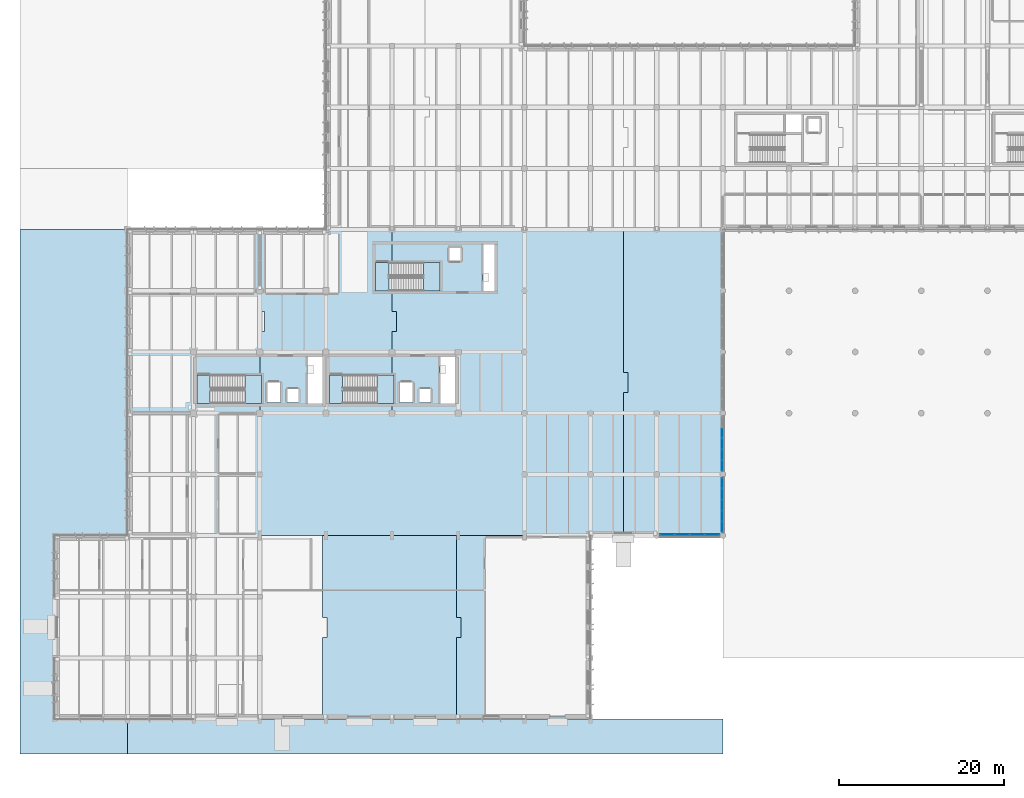
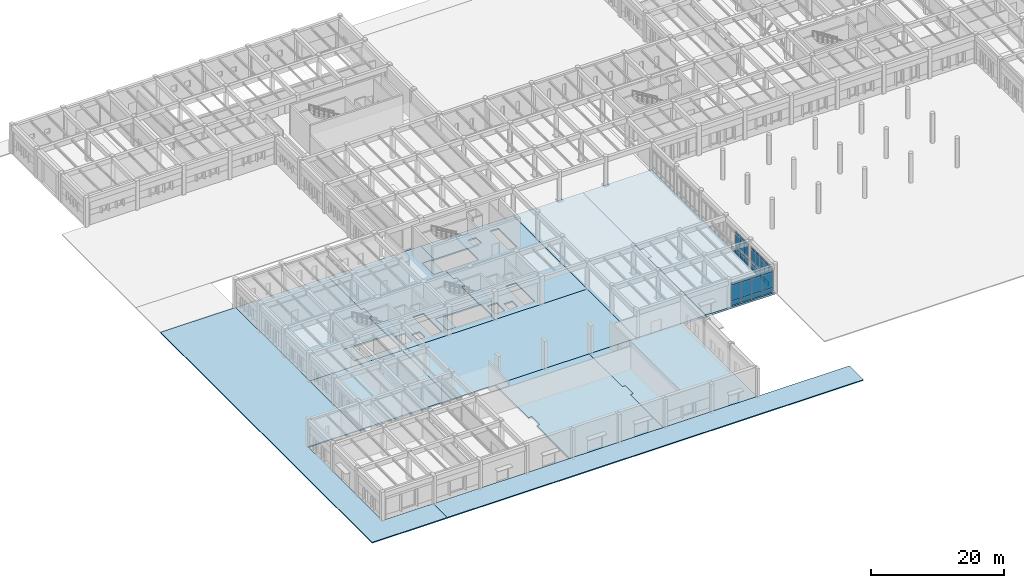
# One storey, part 11 of 56: 37 plates, 17 slabs, 6 elements without a shape of their own.
"""IFC4 building model written with IfcOpenShell, lengths in metres."""

from ifc_helpers import new_model, si_unit, direction, frame, origin, origin_2d, place, context, subcontext, project, spatial, polyline, rectangle, outline, extrude, material, layer, layer_set, type_object, element, aggregate, save


model = new_model("IFC4")

# Units and contexts
model_context = context("Model", 3, precision=1e-05, world=origin(), true_north=direction((0.0, 1.0)))
body_context = subcontext(model_context, "Body", "Model", "MODEL_VIEW")
ifc_project = project(units=[si_unit("LENGTHUNIT", "METRE"), si_unit("AREAUNIT", "SQUARE_METRE"), si_unit("VOLUMEUNIT", "CUBIC_METRE"), si_unit("PLANEANGLEUNIT", "RADIAN"), si_unit("MASSUNIT", "GRAM", prefix="KILO")], contexts=[model_context])

# Site, building, storey
site_placement = place(None, origin())
site = spatial("IfcSite", under=ifc_project, at=site_placement, CompositionType="ELEMENT")
building_placement = place(site_placement, origin())
building = spatial("IfcBuilding", under=site, at=building_placement, Name="Valkorina Park Police Headquarters", CompositionType="ELEMENT")
storey_placement = place(building_placement, origin())
storey = spatial("IfcBuildingStorey", under=building, at=storey_placement, Name="L01", CompositionType="ELEMENT", Elevation=0.0)

# Curtain wall, plates
ifc_material_1 = material(Name="Thermally broken aluminium AW-6060", Category="aluminium")
ifc_layer_1 = layer(ifc_material_1, 0.18994140625)
ifc_layer_set_1 = layer_set([ifc_layer_1], Name="Thermally broken aluminium AW-6060")
curtain_wall_type_1 = type_object("IfcCurtainWallType", Name="CW-V4-6680x4280", PredefinedType="NOTDEFINED", material=ifc_layer_set_1)
curtain_wall_1_placement = place(storey_placement, origin())
curtain_wall_1 = element("IfcCurtainWall", 1, at=curtain_wall_1_placement, inside=storey, type_object=curtain_wall_type_1, Name="L01 Unitised Curtain Wall 004", PredefinedType="NOTDEFINED")
ifc_material_2 = material(Name="Triple low-E insulated glazing", Category="glass")
ifc_layer_2 = layer(ifc_material_2, 0.0380859375)
ifc_layer_set_2 = layer_set([ifc_layer_2], Name="Triple low-E insulated glazing")
plate_type_1 = type_object("IfcPlateType", Name="PL-CWP-ACOUST-38", PredefinedType="CURTAIN_PANEL", material=ifc_layer_set_2)
plate_1_placement = place(storey_placement, frame((80.679931640625, 33.300048828125, 0.93994140625), z_axis=(0.0, 0.0, 1.0), x_axis=(0.0, -1.0, 0.0)))
plate_1 = element("IfcPlate", 2, at=plate_1_placement, type_object=plate_type_1, Name="CW-V4-668-428 panel 3.2", PredefinedType="CURTAIN_PANEL", context=body_context, shape_type="SweptSolid", body=[
    extrude(rectangle(XDim=1.256103515625, YDim=0.0380859375, at=origin_2d()), origin(), (0.0, 0.0, 1.0), 2.780029296875),
])
plate_2_placement = place(storey_placement, frame((80.679931640625, 33.300048828125, 3.800048828125), z_axis=(0.0, 0.0, 1.0), x_axis=(0.0, -1.0, 0.0)))
plate_2 = element("IfcPlate", 3, at=plate_2_placement, type_object=plate_type_1, Name="CW-V4-668-428 panel 3.3", PredefinedType="CURTAIN_PANEL", context=body_context, shape_type="SweptSolid", body=[
    extrude(rectangle(XDim=1.256103515625, YDim=0.0380859375, at=origin_2d()), origin(), (0.0, 0.0, 1.0), 0.39990234375),
])
plate_3_placement = place(storey_placement, frame((80.679931640625, 31.964111328125, 0.93994140625), z_axis=(0.0, 0.0, 1.0), x_axis=(0.0, -1.0, 0.0)))
plate_3 = element("IfcPlate", 4, at=plate_3_placement, type_object=plate_type_1, Name="CW-V4-668-428 panel 4.2", PredefinedType="CURTAIN_PANEL", context=body_context, shape_type="SweptSolid", body=[
    extrude(rectangle(XDim=1.256103515625, YDim=0.0380859375, at=origin_2d()), origin(), (0.0, 0.0, 1.0), 2.780029296875),
])
plate_4_placement = place(storey_placement, frame((80.679931640625, 31.964111328125, 3.800048828125), z_axis=(0.0, 0.0, 1.0), x_axis=(0.0, -1.0, 0.0)))
plate_4 = element("IfcPlate", 5, at=plate_4_placement, type_object=plate_type_1, Name="CW-V4-668-428 panel 4.3", PredefinedType="CURTAIN_PANEL", context=body_context, shape_type="SweptSolid", body=[
    extrude(rectangle(XDim=1.256103515625, YDim=0.0380859375, at=origin_2d()), origin(), (0.0, 0.0, 1.0), 0.39990234375),
])
plate_5_placement = place(storey_placement, frame((80.679931640625, 30.64794921875, 0.93994140625), z_axis=(0.0, 0.0, 1.0), x_axis=(0.0, -1.0, 0.0)))
plate_5 = element("IfcPlate", 6, at=plate_5_placement, type_object=plate_type_1, Name="CW-V4-668-428 panel 5.2", PredefinedType="CURTAIN_PANEL", context=body_context, shape_type="SweptSolid", body=[
    extrude(rectangle(XDim=1.216064453125, YDim=0.0380859375, at=origin_2d()), origin(), (0.0, 0.0, 1.0), 2.780029296875),
])
plate_6_placement = place(storey_placement, frame((80.679931640625, 30.64794921875, 3.800048828125), z_axis=(0.0, 0.0, 1.0), x_axis=(0.0, -1.0, 0.0)))
plate_6 = element("IfcPlate", 7, at=plate_6_placement, type_object=plate_type_1, Name="CW-V4-668-428 panel 5.3", PredefinedType="CURTAIN_PANEL", context=body_context, shape_type="SweptSolid", body=[
    extrude(rectangle(XDim=1.216064453125, YDim=0.0380859375, at=origin_2d()), origin(), (0.0, 0.0, 1.0), 0.39990234375),
])

curtain_wall_2_placement = place(storey_placement, origin())
curtain_wall_2 = element("IfcCurtainWall", 8, at=curtain_wall_2_placement, inside=storey, type_object=curtain_wall_type_1, Name="L01 Unitised Curtain Wall 005", PredefinedType="NOTDEFINED")
plate_7_placement = place(storey_placement, frame((80.679931640625, 28.552001953125, 0.93994140625), z_axis=(0.0, 0.0, 1.0), x_axis=(0.0, -1.0, 0.0)))
plate_7 = element("IfcPlate", 9, at=plate_7_placement, type_object=plate_type_1, Name="CW-V4-668-428 panel 1.2", PredefinedType="CURTAIN_PANEL", context=body_context, shape_type="SweptSolid", body=[
    extrude(rectangle(XDim=1.216064453125, YDim=0.0380859375, at=origin_2d()), origin(), (0.0, 0.0, 1.0), 2.780029296875),
])
plate_8_placement = place(storey_placement, frame((80.679931640625, 28.552001953125, 3.800048828125), z_axis=(0.0, 0.0, 1.0), x_axis=(0.0, -1.0, 0.0)))
plate_8 = element("IfcPlate", 10, at=plate_8_placement, type_object=plate_type_1, Name="CW-V4-668-428 panel 1.3", PredefinedType="CURTAIN_PANEL", context=body_context, shape_type="SweptSolid", body=[
    extrude(rectangle(XDim=1.216064453125, YDim=0.0380859375, at=origin_2d()), origin(), (0.0, 0.0, 1.0), 0.39990234375),
])
plate_9_placement = place(storey_placement, frame((80.679931640625, 27.236083984375, 0.93994140625), z_axis=(0.0, 0.0, 1.0), x_axis=(0.0, -1.0, 0.0)))
plate_9 = element("IfcPlate", 11, at=plate_9_placement, type_object=plate_type_1, Name="CW-V4-668-428 panel 2.2", PredefinedType="CURTAIN_PANEL", context=body_context, shape_type="SweptSolid", body=[
    extrude(rectangle(XDim=1.256103515625, YDim=0.0380859375, at=origin_2d()), origin(), (0.0, 0.0, 1.0), 2.780029296875),
])
plate_10_placement = place(storey_placement, frame((80.679931640625, 27.236083984375, 3.800048828125), z_axis=(0.0, 0.0, 1.0), x_axis=(0.0, -1.0, 0.0)))
plate_10 = element("IfcPlate", 12, at=plate_10_placement, type_object=plate_type_1, Name="CW-V4-668-428 panel 2.3", PredefinedType="CURTAIN_PANEL", context=body_context, shape_type="SweptSolid", body=[
    extrude(rectangle(XDim=1.256103515625, YDim=0.0380859375, at=origin_2d()), origin(), (0.0, 0.0, 1.0), 0.39990234375),
])
plate_11_placement = place(storey_placement, frame((80.679931640625, 25.89990234375, 0.93994140625), z_axis=(0.0, 0.0, 1.0), x_axis=(0.0, -1.0, 0.0)))
plate_11 = element("IfcPlate", 13, at=plate_11_placement, type_object=plate_type_1, Name="CW-V4-668-428 panel 3.2", PredefinedType="CURTAIN_PANEL", context=body_context, shape_type="SweptSolid", body=[
    extrude(rectangle(XDim=1.256103515625, YDim=0.0380859375, at=origin_2d()), origin(), (0.0, 0.0, 1.0), 2.780029296875),
])
plate_12_placement = place(storey_placement, frame((80.679931640625, 25.89990234375, 3.800048828125), z_axis=(0.0, 0.0, 1.0), x_axis=(0.0, -1.0, 0.0)))
plate_12 = element("IfcPlate", 14, at=plate_12_placement, type_object=plate_type_1, Name="CW-V4-668-428 panel 3.3", PredefinedType="CURTAIN_PANEL", context=body_context, shape_type="SweptSolid", body=[
    extrude(rectangle(XDim=1.256103515625, YDim=0.0380859375, at=origin_2d()), origin(), (0.0, 0.0, 1.0), 0.39990234375),
])
plate_13_placement = place(storey_placement, frame((80.679931640625, 24.56396484375, 0.93994140625), z_axis=(0.0, 0.0, 1.0), x_axis=(0.0, -1.0, 0.0)))
plate_13 = element("IfcPlate", 15, at=plate_13_placement, type_object=plate_type_1, Name="CW-V4-668-428 panel 4.2", PredefinedType="CURTAIN_PANEL", context=body_context, shape_type="SweptSolid", body=[
    extrude(rectangle(XDim=1.256103515625, YDim=0.0380859375, at=origin_2d()), origin(), (0.0, 0.0, 1.0), 2.780029296875),
])
plate_14_placement = place(storey_placement, frame((80.679931640625, 24.56396484375, 3.800048828125), z_axis=(0.0, 0.0, 1.0), x_axis=(0.0, -1.0, 0.0)))
plate_14 = element("IfcPlate", 16, at=plate_14_placement, type_object=plate_type_1, Name="CW-V4-668-428 panel 4.3", PredefinedType="CURTAIN_PANEL", context=body_context, shape_type="SweptSolid", body=[
    extrude(rectangle(XDim=1.256103515625, YDim=0.0380859375, at=origin_2d()), origin(), (0.0, 0.0, 1.0), 0.39990234375),
])
plate_15_placement = place(storey_placement, frame((80.679931640625, 23.248046875, 0.93994140625), z_axis=(0.0, 0.0, 1.0), x_axis=(0.0, -1.0, 0.0)))
plate_15 = element("IfcPlate", 17, at=plate_15_placement, type_object=plate_type_1, Name="CW-V4-668-428 panel 5.2", PredefinedType="CURTAIN_PANEL", context=body_context, shape_type="SweptSolid", body=[
    extrude(rectangle(XDim=1.216064453125, YDim=0.0380859375, at=origin_2d()), origin(), (0.0, 0.0, 1.0), 2.780029296875),
])
plate_16_placement = place(storey_placement, frame((80.679931640625, 23.248046875, 3.800048828125), z_axis=(0.0, 0.0, 1.0), x_axis=(0.0, -1.0, 0.0)))
plate_16 = element("IfcPlate", 18, at=plate_16_placement, type_object=plate_type_1, Name="CW-V4-668-428 panel 5.3", PredefinedType="CURTAIN_PANEL", context=body_context, shape_type="SweptSolid", body=[
    extrude(rectangle(XDim=1.216064453125, YDim=0.0380859375, at=origin_2d()), origin(), (0.0, 0.0, 1.0), 0.39990234375),
])

ifc_layer_3 = layer(ifc_material_1, 0.18994140625)
ifc_layer_set_3 = layer_set([ifc_layer_3], Name="Thermally broken aluminium AW-6060")
curtain_wall_type_2 = type_object("IfcCurtainWallType", Name="CW-V4-7280x4280", PredefinedType="NOTDEFINED", material=ifc_layer_set_3)
curtain_wall_3_placement = place(storey_placement, origin())
curtain_wall_3 = element("IfcCurtainWall", 19, at=curtain_wall_3_placement, inside=storey, type_object=curtain_wall_type_2, Name="L01 Unitised Curtain Wall 006", PredefinedType="NOTDEFINED")
plate_17_placement = place(storey_placement, frame((79.510009765625, 22.320068359375, 0.93994140625), z_axis=(0.0, 0.0, 1.0), x_axis=(-1.0, 0.0, 0.0)))
plate_17 = element("IfcPlate", 20, at=plate_17_placement, type_object=plate_type_1, Name="CW-V4-728-428 panel 1.2", PredefinedType="CURTAIN_PANEL", context=body_context, shape_type="SweptSolid", body=[
    extrude(rectangle(XDim=1.699951171875, YDim=0.0380859375, at=origin_2d()), origin(), (0.0, 0.0, 1.0), 2.780029296875),
])
plate_18_placement = place(storey_placement, frame((79.510009765625, 22.320068359375, 3.800048828125), z_axis=(0.0, 0.0, 1.0), x_axis=(-1.0, 0.0, 0.0)))
plate_18 = element("IfcPlate", 21, at=plate_18_placement, type_object=plate_type_1, Name="CW-V4-728-428 panel 1.3", PredefinedType="CURTAIN_PANEL", context=body_context, shape_type="SweptSolid", body=[
    extrude(rectangle(XDim=1.699951171875, YDim=0.0380859375, at=origin_2d()), origin(), (0.0, 0.0, 1.0), 0.39990234375),
])
plate_19_placement = place(storey_placement, frame((77.7099609375, 22.320068359375, 0.93994140625), z_axis=(0.0, 0.0, 1.0), x_axis=(-1.0, 0.0, 0.0)))
plate_19 = element("IfcPlate", 22, at=plate_19_placement, type_object=plate_type_1, Name="CW-V4-728-428 panel 2.2", PredefinedType="CURTAIN_PANEL", context=body_context, shape_type="SweptSolid", body=[
    extrude(rectangle(XDim=1.739990234375, YDim=0.0380859375, at=origin_2d()), origin(), (0.0, 0.0, 1.0), 2.780029296875),
])
plate_20_placement = place(storey_placement, frame((77.7099609375, 22.320068359375, 3.800048828125), z_axis=(0.0, 0.0, 1.0), x_axis=(-1.0, 0.0, 0.0)))
plate_20 = element("IfcPlate", 23, at=plate_20_placement, type_object=plate_type_1, Name="CW-V4-728-428 panel 2.3", PredefinedType="CURTAIN_PANEL", context=body_context, shape_type="SweptSolid", body=[
    extrude(rectangle(XDim=1.739990234375, YDim=0.0380859375, at=origin_2d()), origin(), (0.0, 0.0, 1.0), 0.39990234375),
])
plate_21_placement = place(storey_placement, frame((75.889892578125, 22.320068359375, 0.93994140625), z_axis=(0.0, 0.0, 1.0), x_axis=(-1.0, 0.0, 0.0)))
plate_21 = element("IfcPlate", 24, at=plate_21_placement, type_object=plate_type_1, Name="CW-V4-728-428 panel 3.2", PredefinedType="CURTAIN_PANEL", context=body_context, shape_type="SweptSolid", body=[
    extrude(rectangle(XDim=1.739990234375, YDim=0.0380859375, at=origin_2d()), origin(), (0.0, 0.0, 1.0), 2.780029296875),
])
plate_22_placement = place(storey_placement, frame((75.889892578125, 22.320068359375, 3.800048828125), z_axis=(0.0, 0.0, 1.0), x_axis=(-1.0, 0.0, 0.0)))
plate_22 = element("IfcPlate", 25, at=plate_22_placement, type_object=plate_type_1, Name="CW-V4-728-428 panel 3.3", PredefinedType="CURTAIN_PANEL", context=body_context, shape_type="SweptSolid", body=[
    extrude(rectangle(XDim=1.739990234375, YDim=0.0380859375, at=origin_2d()), origin(), (0.0, 0.0, 1.0), 0.39990234375),
])
plate_23_placement = place(storey_placement, frame((74.090087890625, 22.320068359375, 0.93994140625), z_axis=(0.0, 0.0, 1.0), x_axis=(-1.0, 0.0, 0.0)))
plate_23 = element("IfcPlate", 26, at=plate_23_placement, type_object=plate_type_1, Name="CW-V4-728-428 panel 4.2", PredefinedType="CURTAIN_PANEL", context=body_context, shape_type="SweptSolid", body=[
    extrude(rectangle(XDim=1.699951171875, YDim=0.0380859375, at=origin_2d()), origin(), (0.0, 0.0, 1.0), 2.780029296875),
])
plate_24_placement = place(storey_placement, frame((74.090087890625, 22.320068359375, 3.800048828125), z_axis=(0.0, 0.0, 1.0), x_axis=(-1.0, 0.0, 0.0)))
plate_24 = element("IfcPlate", 27, at=plate_24_placement, type_object=plate_type_1, Name="CW-V4-728-428 panel 4.3", PredefinedType="CURTAIN_PANEL", context=body_context, shape_type="SweptSolid", body=[
    extrude(rectangle(XDim=1.699951171875, YDim=0.0380859375, at=origin_2d()), origin(), (0.0, 0.0, 1.0), 0.39990234375),
])

# Plate
ifc_layer_4 = layer(ifc_material_1, 0.06494140625)
ifc_layer_set_4 = layer_set([ifc_layer_4], Name="Thermally broken aluminium AW-6060")
plate_type_2 = type_object("IfcPlateType", Name="PL-CWP-INSUL-65", PredefinedType="CURTAIN_PANEL", material=ifc_layer_set_4)
plate_25_placement = place(storey_placement, frame((80.679931640625, 34.635986328125, 0.080078125), z_axis=(0.0, 0.0, 1.0), x_axis=(0.0, -1.0, 0.0)))
plate_25 = element("IfcPlate", 28, at=plate_25_placement, type_object=plate_type_2, Name="CW-V4-668-428 panel 2.1", PredefinedType="CURTAIN_PANEL", context=body_context, shape_type="SweptSolid", body=[
    extrude(rectangle(XDim=1.256103515625, YDim=0.0380859375, at=origin_2d()), origin(), (0.0, 0.0, 1.0), 0.780029296875),
])

plate_26_placement = place(storey_placement, frame((80.679931640625, 33.300048828125, 0.080078125), z_axis=(0.0, 0.0, 1.0), x_axis=(0.0, -1.0, 0.0)))
plate_26 = element("IfcPlate", 29, at=plate_26_placement, type_object=plate_type_2, Name="CW-V4-668-428 panel 3.1", PredefinedType="CURTAIN_PANEL", context=body_context, shape_type="SweptSolid", body=[
    extrude(rectangle(XDim=1.256103515625, YDim=0.0380859375, at=origin_2d()), origin(), (0.0, 0.0, 1.0), 0.780029296875),
])

plate_27_placement = place(storey_placement, frame((80.679931640625, 31.964111328125, 0.080078125), z_axis=(0.0, 0.0, 1.0), x_axis=(0.0, -1.0, 0.0)))
plate_27 = element("IfcPlate", 30, at=plate_27_placement, type_object=plate_type_2, Name="CW-V4-668-428 panel 4.1", PredefinedType="CURTAIN_PANEL", context=body_context, shape_type="SweptSolid", body=[
    extrude(rectangle(XDim=1.256103515625, YDim=0.0380859375, at=origin_2d()), origin(), (0.0, 0.0, 1.0), 0.780029296875),
])

plate_28_placement = place(storey_placement, frame((80.679931640625, 30.64794921875, 0.080078125), z_axis=(0.0, 0.0, 1.0), x_axis=(0.0, -1.0, 0.0)))
plate_28 = element("IfcPlate", 31, at=plate_28_placement, type_object=plate_type_2, Name="CW-V4-668-428 panel 5.1", PredefinedType="CURTAIN_PANEL", context=body_context, shape_type="SweptSolid", body=[
    extrude(rectangle(XDim=1.216064453125, YDim=0.0380859375, at=origin_2d()), origin(), (0.0, 0.0, 1.0), 0.780029296875),
])

aggregate(curtain_wall_1, [plate_25, plate_26, plate_1, plate_2, plate_27, plate_3, plate_4, plate_28, plate_5, plate_6])

plate_29_placement = place(storey_placement, frame((80.679931640625, 28.552001953125, 0.080078125), z_axis=(0.0, 0.0, 1.0), x_axis=(0.0, -1.0, 0.0)))
plate_29 = element("IfcPlate", 32, at=plate_29_placement, type_object=plate_type_2, Name="CW-V4-668-428 panel 1.1", PredefinedType="CURTAIN_PANEL", context=body_context, shape_type="SweptSolid", body=[
    extrude(rectangle(XDim=1.216064453125, YDim=0.0380859375, at=origin_2d()), origin(), (0.0, 0.0, 1.0), 0.780029296875),
])

plate_30_placement = place(storey_placement, frame((80.679931640625, 27.236083984375, 0.080078125), z_axis=(0.0, 0.0, 1.0), x_axis=(0.0, -1.0, 0.0)))
plate_30 = element("IfcPlate", 33, at=plate_30_placement, type_object=plate_type_2, Name="CW-V4-668-428 panel 2.1", PredefinedType="CURTAIN_PANEL", context=body_context, shape_type="SweptSolid", body=[
    extrude(rectangle(XDim=1.256103515625, YDim=0.0380859375, at=origin_2d()), origin(), (0.0, 0.0, 1.0), 0.780029296875),
])

plate_31_placement = place(storey_placement, frame((80.679931640625, 25.89990234375, 0.080078125), z_axis=(0.0, 0.0, 1.0), x_axis=(0.0, -1.0, 0.0)))
plate_31 = element("IfcPlate", 34, at=plate_31_placement, type_object=plate_type_2, Name="CW-V4-668-428 panel 3.1", PredefinedType="CURTAIN_PANEL", context=body_context, shape_type="SweptSolid", body=[
    extrude(rectangle(XDim=1.256103515625, YDim=0.0380859375, at=origin_2d()), origin(), (0.0, 0.0, 1.0), 0.780029296875),
])

plate_32_placement = place(storey_placement, frame((80.679931640625, 24.56396484375, 0.080078125), z_axis=(0.0, 0.0, 1.0), x_axis=(0.0, -1.0, 0.0)))
plate_32 = element("IfcPlate", 35, at=plate_32_placement, type_object=plate_type_2, Name="CW-V4-668-428 panel 4.1", PredefinedType="CURTAIN_PANEL", context=body_context, shape_type="SweptSolid", body=[
    extrude(rectangle(XDim=1.256103515625, YDim=0.0380859375, at=origin_2d()), origin(), (0.0, 0.0, 1.0), 0.780029296875),
])

plate_33_placement = place(storey_placement, frame((80.679931640625, 23.248046875, 0.080078125), z_axis=(0.0, 0.0, 1.0), x_axis=(0.0, -1.0, 0.0)))
plate_33 = element("IfcPlate", 36, at=plate_33_placement, type_object=plate_type_2, Name="CW-V4-668-428 panel 5.1", PredefinedType="CURTAIN_PANEL", context=body_context, shape_type="SweptSolid", body=[
    extrude(rectangle(XDim=1.216064453125, YDim=0.0380859375, at=origin_2d()), origin(), (0.0, 0.0, 1.0), 0.780029296875),
])

aggregate(curtain_wall_2, [plate_29, plate_7, plate_8, plate_30, plate_9, plate_10, plate_31, plate_11, plate_12, plate_32, plate_13, plate_14, plate_33, plate_15, plate_16])

plate_34_placement = place(storey_placement, frame((79.510009765625, 22.320068359375, 0.080078125), z_axis=(0.0, 0.0, 1.0), x_axis=(-1.0, 0.0, 0.0)))
plate_34 = element("IfcPlate", 37, at=plate_34_placement, type_object=plate_type_2, Name="CW-V4-728-428 panel 1.1", PredefinedType="CURTAIN_PANEL", context=body_context, shape_type="SweptSolid", body=[
    extrude(rectangle(XDim=1.699951171875, YDim=0.0380859375, at=origin_2d()), origin(), (0.0, 0.0, 1.0), 0.780029296875),
])

plate_35_placement = place(storey_placement, frame((77.7099609375, 22.320068359375, 0.080078125), z_axis=(0.0, 0.0, 1.0), x_axis=(-1.0, 0.0, 0.0)))
plate_35 = element("IfcPlate", 38, at=plate_35_placement, type_object=plate_type_2, Name="CW-V4-728-428 panel 2.1", PredefinedType="CURTAIN_PANEL", context=body_context, shape_type="SweptSolid", body=[
    extrude(rectangle(XDim=1.739990234375, YDim=0.0380859375, at=origin_2d()), origin(), (0.0, 0.0, 1.0), 0.780029296875),
])

plate_36_placement = place(storey_placement, frame((75.889892578125, 22.320068359375, 0.080078125), z_axis=(0.0, 0.0, 1.0), x_axis=(-1.0, 0.0, 0.0)))
plate_36 = element("IfcPlate", 39, at=plate_36_placement, type_object=plate_type_2, Name="CW-V4-728-428 panel 3.1", PredefinedType="CURTAIN_PANEL", context=body_context, shape_type="SweptSolid", body=[
    extrude(rectangle(XDim=1.739990234375, YDim=0.0380859375, at=origin_2d()), origin(), (0.0, 0.0, 1.0), 0.780029296875),
])

plate_37_placement = place(storey_placement, frame((74.090087890625, 22.320068359375, 0.080078125), z_axis=(0.0, 0.0, 1.0), x_axis=(-1.0, 0.0, 0.0)))
plate_37 = element("IfcPlate", 40, at=plate_37_placement, type_object=plate_type_2, Name="CW-V4-728-428 panel 4.1", PredefinedType="CURTAIN_PANEL", context=body_context, shape_type="SweptSolid", body=[
    extrude(rectangle(XDim=1.699951171875, YDim=0.0380859375, at=origin_2d()), origin(), (0.0, 0.0, 1.0), 0.780029296875),
])

aggregate(curtain_wall_3, [plate_34, plate_17, plate_18, plate_35, plate_19, plate_20, plate_36, plate_21, plate_22, plate_37, plate_23, plate_24])

# Stair, slab
ifc_material_3 = material(Name="Concrete C35/45", Category="concrete")
stair_type = type_object("IfcStairType", Name="ST-DOGLEG-160-54", PredefinedType="HALF_TURN_STAIR", material=ifc_material_3)
stair_1_placement = place(storey_placement, origin())
stair_1 = element("IfcStair", 41, at=stair_1_placement, inside=storey, type_object=stair_type, Name="L01 Core C1 Protected Stair (ST-02)", PredefinedType="HALF_TURN_STAIR")
ifc_layer_5 = layer(ifc_material_3, 0.22998046875)
ifc_layer_set_5 = layer_set([ifc_layer_5], Name="Concrete C35/45")
slab_type_1 = type_object("IfcSlabType", Name="SL-LANDING-230", PredefinedType="LANDING", material=ifc_layer_set_5)
slab_1_placement = place(storey_placement, frame((0.0, 0.0, 2.469970703125)))
slab_1 = element("IfcSlab", 42, at=slab_1_placement, type_object=slab_type_1, Name="ST-02 landing 1", PredefinedType="LANDING", context=body_context, shape_type="SweptSolid", body=[
    extrude(outline(polyline([(23.0, 38.199951171875), (25.0, 38.199951171875), (25.0, 41.60009765625), (23.0, 41.60009765625), (23.0, 38.199951171875)])), origin(), (0.0, 0.0, 1.0), 0.22998046875),
])
aggregate(stair_1, [slab_1])

stair_2_placement = place(storey_placement, origin())
stair_2 = element("IfcStair", 43, at=stair_2_placement, inside=storey, type_object=stair_type, Name="L01 Core C2 Protected Stair (ST-02)", PredefinedType="HALF_TURN_STAIR")
slab_2_placement = place(storey_placement, frame((0.0, 0.0, 2.469970703125)))
slab_2 = element("IfcSlab", 44, at=slab_2_placement, type_object=slab_type_1, Name="ST-02 landing 1", PredefinedType="LANDING", context=body_context, shape_type="SweptSolid", body=[
    extrude(outline(polyline([(39.0, 38.199951171875), (41.0, 38.199951171875), (41.0, 41.60009765625), (39.0, 41.60009765625), (39.0, 38.199951171875)])), origin(), (0.0, 0.0, 1.0), 0.22998046875),
])
aggregate(stair_2, [slab_2])

stair_3_placement = place(storey_placement, origin())
stair_3 = element("IfcStair", 45, at=stair_3_placement, inside=storey, type_object=stair_type, Name="L01 Core C3 Protected Stair (ST-02)", PredefinedType="HALF_TURN_STAIR")
slab_3_placement = place(storey_placement, frame((0.0, 0.0, 2.469970703125)))
slab_3 = element("IfcSlab", 46, at=slab_3_placement, type_object=slab_type_1, Name="ST-02 landing 1", PredefinedType="LANDING", context=body_context, shape_type="SweptSolid", body=[
    extrude(outline(polyline([(44.60009765625, 51.800048828125), (46.60009765625, 51.800048828125), (46.60009765625, 55.199951171875), (44.60009765625, 55.199951171875), (44.60009765625, 51.800048828125)])), origin(), (0.0, 0.0, 1.0), 0.22998046875),
])
aggregate(stair_3, [slab_3])

# Slabs
ifc_layer_6 = layer(ifc_material_3, 0.179931640625)
ifc_layer_set_6 = layer_set([ifc_layer_6], Name="Concrete C35/45")
slab_type_2 = type_object("IfcSlabType", Name="SL-PAVING-EXT-180", PredefinedType="USERDEFINED", material=ifc_layer_set_6)
slab_4_placement = place(storey_placement, frame((0.0, 0.0, -0.179931640625)))
element("IfcSlab", 47, at=slab_4_placement, inside=storey, type_object=slab_type_2, Name="Civic Arrival Forecourt Apron 1", ObjectType="PAVING", PredefinedType="USERDEFINED", context=body_context, shape_type="SweptSolid", body=[
    extrude(outline(polyline([(8.800048828125, -4.199951171875), (8.800048828125, 0.0), (0.0, 0.0), (0.0, 22.199951171875), (8.800048828125, 22.199951171875), (8.800048828125, 37.0), (8.800048828125, 59.19189453125), (-4.199951171875, 59.19189453125), (-4.199951171875, -4.199951171875), (8.800048828125, -4.199951171875)])), origin(), (0.0, 0.0, 1.0), 0.179931640625),
])
slab_5_placement = place(storey_placement, frame((0.0, 0.0, -0.179931640625)))
element("IfcSlab", 48, at=slab_5_placement, inside=storey, type_object=slab_type_2, Name="South Entrance Plaza Apron 1", ObjectType="PAVING", PredefinedType="USERDEFINED", context=body_context, shape_type="SweptSolid", body=[
    extrude(outline(polyline([(80.800048828125, 0.0), (64.800048828125, 0.0), (8.800048828125, 0.0), (8.800048828125, -4.199951171875), (80.800048828125, -4.199951171875), (80.800048828125, 0.0)])), origin(), (0.0, 0.0, 1.0), 0.179931640625),
])
slab_6_placement = place(storey_placement, frame((0.0, 0.0, -0.179931640625)))
element("IfcSlab", 49, at=slab_6_placement, inside=storey, type_object=slab_type_2, Name="Garden Court Paved Promenade 1", ObjectType="PAVING", PredefinedType="USERDEFINED", context=body_context, shape_type="SweptSolid", body=[
    extrude(outline(polyline([(56.800048828125, 22.199951171875), (56.800048828125, 37.0), (24.800048828125, 37.0), (24.800048828125, 22.199951171875), (56.800048828125, 22.199951171875)])), origin(), (0.0, 0.0, 1.0), 0.179931640625),
])
ifc_layer_7 = layer(ifc_material_3, 0.260009765625)
ifc_layer_set_7 = layer_set([ifc_layer_7], Name="Concrete C35/45")
slab_type_3 = type_object("IfcSlabType", Name="SL-PODIUM-260", PredefinedType="FLOOR", material=ifc_layer_set_7)
slab_7_placement = place(storey_placement, frame((0.0, 0.0, -0.260009765625)))
element("IfcSlab", 50, at=slab_7_placement, inside=storey, type_object=slab_type_3, Name="L01 Structural Floor Slab 5", PredefinedType="FLOOR", context=body_context, shape_type="SweptSolid", body=[
    extrude(outline(polyline([(24.800048828125, 22.199951171875), (24.800048828125, 37.0), (8.800048828125, 37.0), (8.800048828125, 22.199951171875), (24.800048828125, 22.199951171875)])), origin(), (0.0, 0.0, 1.0), 0.260009765625),
])
slab_8_placement = place(storey_placement, frame((0.0, 0.0, -0.260009765625)))
element("IfcSlab", 51, at=slab_8_placement, inside=storey, type_object=slab_type_3, Name="L01 Structural Floor Slab 6", PredefinedType="FLOOR", context=body_context, shape_type="SweptSolid", body=[
    extrude(outline(polyline([(25.35009765625, 49.2958984375), (24.800048828125, 49.2958984375), (24.800048828125, 59.19189453125), (8.800048828125, 59.19189453125), (8.800048828125, 37.0), (24.800048828125, 37.0), (24.800048828125, 38.199951171875), (17.199951171875, 38.199951171875), (17.199951171875, 41.60009765625), (24.800048828125, 41.60009765625), (24.800048828125, 46.89599609375), (25.35009765625, 46.89599609375), (25.35009765625, 49.2958984375)])), origin(), (0.0, 0.0, 1.0), 0.260009765625),
])
slab_9_placement = place(storey_placement, frame((0.0, 0.0, -0.260009765625)))
element("IfcSlab", 52, at=slab_9_placement, inside=storey, type_object=slab_type_3, Name="L01 Structural Floor Slab 7", PredefinedType="FLOOR", context=body_context, shape_type="SweptSolid", body=[
    extrude(outline(polyline([(41.35009765625, 49.2958984375), (40.800048828125, 49.2958984375), (40.800048828125, 51.800048828125), (38.800048828125, 51.800048828125), (38.800048828125, 55.199951171875), (40.800048828125, 55.199951171875), (40.800048828125, 59.19189453125), (24.800048828125, 59.19189453125), (24.800048828125, 49.2958984375), (25.35009765625, 49.2958984375), (25.35009765625, 46.89599609375), (24.800048828125, 46.89599609375), (24.800048828125, 41.60009765625), (25.0, 41.60009765625), (25.0, 38.199951171875), (24.800048828125, 38.199951171875), (24.800048828125, 37.0), (40.800048828125, 37.0), (40.800048828125, 38.199951171875), (33.199951171875, 38.199951171875), (33.199951171875, 41.60009765625), (40.800048828125, 41.60009765625), (40.800048828125, 46.89599609375), (41.35009765625, 46.89599609375), (41.35009765625, 49.2958984375)]), holes=[polyline([(29.5, 38.300048828125), (28.10009765625, 38.300048828125), (28.10009765625, 39.89990234375), (29.5, 39.89990234375), (29.5, 38.300048828125)]), polyline([(27.300048828125, 38.300048828125), (25.699951171875, 38.300048828125), (25.699951171875, 40.699951171875), (27.300048828125, 40.699951171875), (27.300048828125, 38.300048828125)]), polyline([(32.39990234375, 38.199951171875), (30.60009765625, 38.199951171875), (30.60009765625, 43.800048828125), (32.39990234375, 43.800048828125), (32.39990234375, 38.199951171875)])]), origin(), (0.0, 0.0, 1.0), 0.260009765625),
])
slab_10_placement = place(storey_placement, frame((0.0, 0.0, -0.260009765625)))
element("IfcSlab", 53, at=slab_10_placement, inside=storey, type_object=slab_type_3, Name="L01 Structural Floor Slab 8", PredefinedType="FLOOR", context=body_context, shape_type="SweptSolid", body=[
    extrude(outline(polyline([(40.800048828125, 59.19189453125), (40.800048828125, 55.199951171875), (46.60009765625, 55.199951171875), (46.60009765625, 51.800048828125), (40.800048828125, 51.800048828125), (40.800048828125, 49.2958984375), (41.35009765625, 49.2958984375), (41.35009765625, 46.89599609375), (40.800048828125, 46.89599609375), (40.800048828125, 41.60009765625), (41.0, 41.60009765625), (41.0, 38.199951171875), (40.800048828125, 38.199951171875), (40.800048828125, 37.0), (56.800048828125, 37.0), (56.800048828125, 59.19189453125), (40.800048828125, 59.19189453125)]), holes=[polyline([(45.5, 38.300048828125), (44.10009765625, 38.300048828125), (44.10009765625, 39.89990234375), (45.5, 39.89990234375), (45.5, 38.300048828125)]), polyline([(41.699951171875, 38.300048828125), (41.699951171875, 40.699951171875), (43.300048828125, 40.699951171875), (43.300048828125, 38.300048828125), (41.699951171875, 38.300048828125)]), polyline([(48.39990234375, 38.199951171875), (46.60009765625, 38.199951171875), (46.60009765625, 43.800048828125), (48.39990234375, 43.800048828125), (48.39990234375, 38.199951171875)]), polyline([(53.199951171875, 51.800048828125), (51.800048828125, 51.800048828125), (51.800048828125, 57.39990234375), (53.199951171875, 57.39990234375), (53.199951171875, 51.800048828125)]), polyline([(49.10009765625, 55.39990234375), (47.699951171875, 55.39990234375), (47.699951171875, 57.0), (49.10009765625, 57.0), (49.10009765625, 55.39990234375)])]), origin(), (0.0, 0.0, 1.0), 0.260009765625),
])
ifc_material_4 = material(Name="Concrete C40/50", Category="concrete")
ifc_layer_8 = layer(ifc_material_4, 0.35009765625)
ifc_layer_set_8 = layer_set([ifc_layer_8], Name="Concrete C40/50")
slab_type_4 = type_object("IfcSlabType", Name="SL-PODIUM-HVY-350", PredefinedType="FLOOR", material=ifc_layer_set_8)
slab_11_placement = place(storey_placement, frame((0.0, 0.0, -0.35009765625)))
element("IfcSlab", 54, at=slab_11_placement, inside=storey, type_object=slab_type_4, Name="L01 Structural Floor Slab 3", PredefinedType="FLOOR", context=body_context, shape_type="SweptSolid", body=[
    extrude(outline(polyline([(48.60009765625, 22.199951171875), (32.39990234375, 22.199951171875), (32.39990234375, 12.300048828125), (32.949951171875, 12.300048828125), (32.949951171875, 9.89990234375), (32.39990234375, 9.89990234375), (32.39990234375, 0.0), (48.60009765625, 0.0), (48.60009765625, 9.89990234375), (49.14990234375, 9.89990234375), (49.14990234375, 12.300048828125), (48.60009765625, 12.300048828125), (48.60009765625, 22.199951171875)])), origin(), (0.0, 0.0, 1.0), 0.35009765625),
])
slab_12_placement = place(storey_placement, frame((0.0, 0.0, -0.35009765625)))
element("IfcSlab", 55, at=slab_12_placement, inside=storey, type_object=slab_type_4, Name="L01 Structural Floor Slab 4", PredefinedType="FLOOR", context=body_context, shape_type="SweptSolid", body=[
    extrude(outline(polyline([(48.60009765625, 22.199951171875), (48.60009765625, 12.300048828125), (49.14990234375, 12.300048828125), (49.14990234375, 9.89990234375), (48.60009765625, 9.89990234375), (48.60009765625, 0.0), (64.800048828125, 0.0), (64.800048828125, 22.199951171875), (48.60009765625, 22.199951171875)])), origin(), (0.0, 0.0, 1.0), 0.35009765625),
])
slab_13_placement = place(storey_placement, frame((0.0, 0.0, -0.35009765625)))
element("IfcSlab", 56, at=slab_13_placement, inside=storey, type_object=slab_type_4, Name="L01 Structural Floor Slab 9", PredefinedType="FLOOR", context=body_context, shape_type="SweptSolid", body=[
    extrude(outline(polyline([(68.800048828125, 22.199951171875), (68.800048828125, 39.49609375), (69.35009765625, 39.49609375), (69.35009765625, 41.89599609375), (68.800048828125, 41.89599609375), (68.800048828125, 59.19189453125), (56.800048828125, 59.19189453125), (56.800048828125, 22.199951171875), (68.800048828125, 22.199951171875)])), origin(), (0.0, 0.0, 1.0), 0.35009765625),
])
slab_14_placement = place(storey_placement, frame((0.0, 0.0, -0.35009765625)))
element("IfcSlab", 57, at=slab_14_placement, inside=storey, type_object=slab_type_4, Name="L01 Structural Floor Slab 10", PredefinedType="FLOOR", context=body_context, shape_type="SweptSolid", body=[
    extrude(outline(polyline([(68.800048828125, 59.19189453125), (68.800048828125, 41.89599609375), (69.35009765625, 41.89599609375), (69.35009765625, 39.49609375), (68.800048828125, 39.49609375), (68.800048828125, 22.199951171875), (80.800048828125, 22.199951171875), (80.800048828125, 59.19189453125), (68.800048828125, 59.19189453125)])), origin(), (0.0, 0.0, 1.0), 0.35009765625),
])
ifc_layer_9 = layer(ifc_material_4, 0.300048828125)
ifc_layer_set_9 = layer_set([ifc_layer_9], Name="Concrete C40/50")
slab_type_5 = type_object("IfcSlabType", Name="SL-VAULT-300", PredefinedType="FLOOR", material=ifc_layer_set_9)
slab_15_placement = place(storey_placement, frame((0.0, 0.0, -0.300048828125)))
element("IfcSlab", 58, at=slab_15_placement, inside=storey, type_object=slab_type_5, Name="L01 Core C1 Structural Floor Landing Slab", PredefinedType="FLOOR", context=body_context, shape_type="SweptSolid", body=[
    extrude(outline(polyline([(17.199951171875, 38.199951171875), (18.800048828125, 38.199951171875), (18.800048828125, 41.60009765625), (17.199951171875, 41.60009765625), (17.199951171875, 38.199951171875)])), origin(), (0.0, 0.0, 1.0), 0.300048828125),
])
slab_16_placement = place(storey_placement, frame((0.0, 0.0, -0.300048828125)))
element("IfcSlab", 59, at=slab_16_placement, inside=storey, type_object=slab_type_5, Name="L01 Core C2 Structural Floor Landing Slab", PredefinedType="FLOOR", context=body_context, shape_type="SweptSolid", body=[
    extrude(outline(polyline([(33.199951171875, 38.199951171875), (34.800048828125, 38.199951171875), (34.800048828125, 41.60009765625), (33.199951171875, 41.60009765625), (33.199951171875, 38.199951171875)])), origin(), (0.0, 0.0, 1.0), 0.300048828125),
])
slab_17_placement = place(storey_placement, frame((0.0, 0.0, -0.300048828125)))
element("IfcSlab", 60, at=slab_17_placement, inside=storey, type_object=slab_type_5, Name="L01 Core C3 Structural Floor Landing Slab", PredefinedType="FLOOR", context=body_context, shape_type="SweptSolid", body=[
    extrude(outline(polyline([(38.800048828125, 51.800048828125), (40.39990234375, 51.800048828125), (40.39990234375, 55.199951171875), (38.800048828125, 55.199951171875), (38.800048828125, 51.800048828125)])), origin(), (0.0, 0.0, 1.0), 0.300048828125),
])

save(model, "model.ifc")
